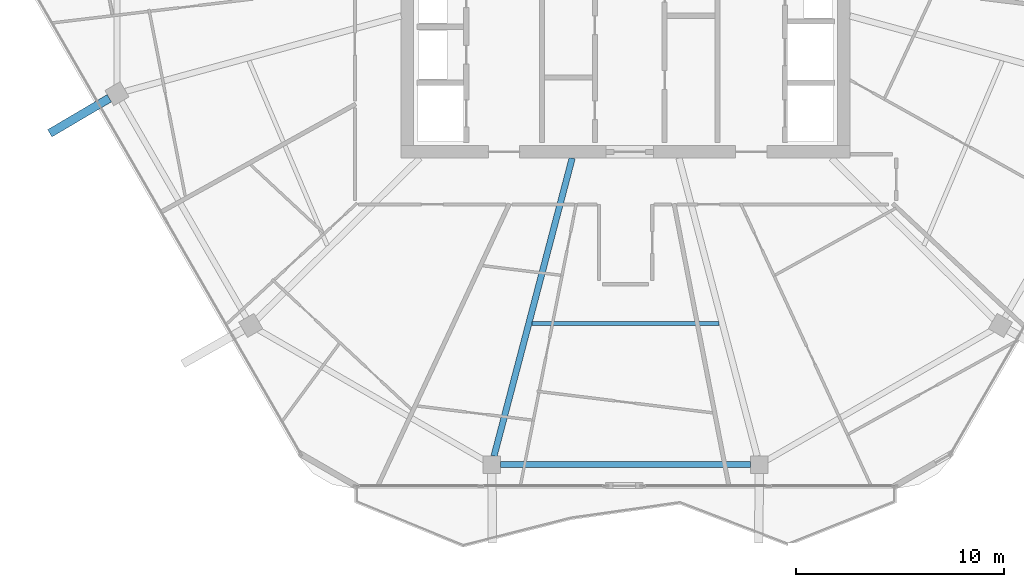
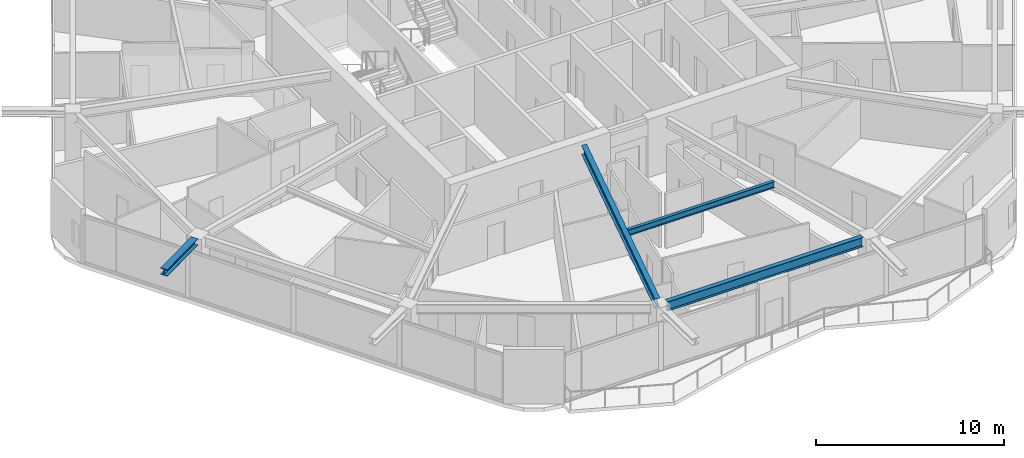
# One storey, part 4 of 27: 4 beams.
"""IFC4 building model written with IfcOpenShell, lengths in metres."""

import ifcopenshell
import ifcopenshell.guid

model = None  # the IFC model being written
_history = None  # IfcOwnerHistory: only IFC2X3 demands one
_inside = {}  # id of a spatial element -> (the spatial element, [elements in it])
_under = {}  # id of a project, library or spatial element -> (it, [spatial elements below it])
_declared = {}  # id of a project -> (the project, [libraries it declares])
_typed = {}  # id of a type object -> (the type object, [elements of that type])
_made_of = {}  # id of a material, layer set ... -> (it, [elements and type objects made of it])


def new_model(schema):
    """Start an empty IFC model of exactly this schema.

    Asked for "IFC4X3", IfcOpenShell would pick the latest addendum, in which some entities
    have other attributes; the version numbers below select the first issue.
    IFC2X3 requires an IfcOwnerHistory on every rooted entity: one is made here for all.
    """
    global model, _history
    if schema == "IFC4X3":
        model = ifcopenshell.file(schema_version=(4, 3, 0, 0))
    else:
        model = ifcopenshell.file(schema=schema)
    _inside.clear()
    _under.clear()
    _declared.clear()
    _typed.clear()
    _made_of.clear()
    _history = None
    if model.schema == "IFC2X3":
        org = make("IfcOrganization", Name="unknown")
        user = make(
            "IfcPersonAndOrganization",
            ThePerson=make("IfcPerson", FamilyName="unknown"),
            TheOrganization=org,
        )
        app = make(
            "IfcApplication",
            ApplicationDeveloper=org,
            Version="unknown",
            ApplicationFullName="unknown",
            ApplicationIdentifier="unknown",
        )
        _history = make(
            "IfcOwnerHistory",
            OwningUser=user,
            OwningApplication=app,
            ChangeAction="ADDED",
            CreationDate=0,
        )
    return model


def make(cls, **values):
    """One entity of the class cls with the attributes given. An attribute that is None is left unset."""
    return model.create_entity(
        cls, **{name: value for name, value in values.items() if value is not None}
    )


def rooted(cls, **values):
    """An entity with a GlobalId (a new one), such as an element, a storey or a relation."""
    return make(cls, GlobalId=ifcopenshell.guid.new(), OwnerHistory=_history, **values)


def si_unit(unit_type, name, prefix=None):
    """IfcSIUnit, for example si_unit("LENGTHUNIT", "METRE", prefix="MILLI")."""
    return make("IfcSIUnit", UnitType=unit_type, Prefix=prefix, Name=name)


def assignment(units):
    """IfcUnitAssignment: the units of a project."""
    return None if units is None else make("IfcUnitAssignment", Units=units)


def point(xyz):
    """IfcCartesianPoint."""
    return None if xyz is None else make("IfcCartesianPoint", Coordinates=xyz)


def direction(xyz):
    """IfcDirection."""
    return None if xyz is None else make("IfcDirection", DirectionRatios=xyz)


def frame(location, z_axis=None, x_axis=None):
    """IfcAxis2Placement3D, a coordinate frame: its origin and axes. An axis left out is left unset."""
    return make(
        "IfcAxis2Placement3D",
        Location=point(location),
        Axis=direction(z_axis),
        RefDirection=direction(x_axis),
    )


def frame_2d(location, x_axis=None):
    """IfcAxis2Placement2D, a coordinate frame in the plane: its origin and x axis."""
    return make(
        "IfcAxis2Placement2D", Location=point(location), RefDirection=direction(x_axis)
    )


def origin():
    """The frame at (0, 0, 0) with its axes left unset."""
    return frame((0.0, 0.0, 0.0))


def origin_2d():
    """The frame at (0, 0) in the plane with its x axis left unset."""
    return frame_2d((0.0, 0.0))


def place(relative_to, where):
    """IfcLocalPlacement: puts the frame where relative to a parent placement (None: the world)."""
    return make(
        "IfcLocalPlacement", PlacementRelTo=relative_to, RelativePlacement=where
    )


def context(
    kind, dimensions, precision=None, world=None, true_north=None, identifier=None
):
    """IfcGeometricRepresentationContext, for example the 3D "Model" context."""
    return make(
        "IfcGeometricRepresentationContext",
        ContextIdentifier=identifier,
        ContextType=kind,
        CoordinateSpaceDimension=dimensions,
        Precision=precision,
        WorldCoordinateSystem=world,
        TrueNorth=true_north,
    )


def subcontext(parent, identifier, kind, view, scale=None):
    """IfcGeometricRepresentationSubContext, for example "Body" below "Model"."""
    return make(
        "IfcGeometricRepresentationSubContext",
        ContextIdentifier=identifier,
        ContextType=kind,
        ParentContext=parent,
        TargetScale=scale,
        TargetView=view,
    )


def project(units=None, contexts=None):
    """IfcProject with its units and contexts."""
    return rooted(
        "IfcProject",
        Name="project",
        RepresentationContexts=contexts,
        UnitsInContext=assignment(units),
    )


def spatial(cls, under=None, at=None, **own):
    """A site, building, storey or space (cls), placed at a placement, below another one or the project."""
    s = rooted(cls, ObjectPlacement=at, **own)
    if under is not None:
        _under.setdefault(under.id(), (under, []))[1].append(s)
    return s


def profile(cls, at=None, kind="AREA", **sizes):
    """A parametric profile (cls). Its sizes go by their IFC names, for example OverallWidth=200.0."""
    return make(cls, ProfileType=kind, Position=at, **sizes)


def i_section(**sizes):
    """IfcIShapeProfileDef."""
    return profile("IfcIShapeProfileDef", **sizes)


def extrude(swept, where, along, depth):
    """IfcExtrudedAreaSolid: the profile swept, set in the frame where, extruded along a direction by depth."""
    return make(
        "IfcExtrudedAreaSolid",
        SweptArea=swept,
        Position=where,
        ExtrudedDirection=direction(along),
        Depth=depth,
    )


def shape(context_of_items, identifier, shape_type, items):
    """IfcShapeRepresentation: the items that make up one representation, for example the "Body"."""
    return make(
        "IfcShapeRepresentation",
        ContextOfItems=context_of_items,
        RepresentationIdentifier=identifier,
        RepresentationType=shape_type,
        Items=items,
    )


def material(Name=None, Category=None):
    """IfcMaterial."""
    return make("IfcMaterial", Name=Name, Category=Category)


def material_profile(
    of_material, cross_section, Name=None, Category=None, Priority=None
):
    """IfcMaterialProfile: a cross section and its material."""
    return make(
        "IfcMaterialProfile",
        Name=Name,
        Material=of_material,
        Profile=cross_section,
        Priority=Priority,
        Category=Category,
    )


def profile_set(profiles, Name=None, composite=None):
    """IfcMaterialProfileSet."""
    return make(
        "IfcMaterialProfileSet",
        Name=Name,
        MaterialProfiles=profiles,
        CompositeProfile=composite,
    )


def made_of(thing, what):
    """Note that an element or type object is made of a material, layer set ...; save() writes the relation."""
    if what is not None:
        _made_of.setdefault(what.id(), (what, []))[1].append(thing)
    return thing


def type_object(cls, material=None, **own):
    """A type object (cls), such as IfcWallType, which elements share."""
    return made_of(rooted(cls, **own), material)


def element(
    cls,
    number,
    at=None,
    inside=None,
    cuts=None,
    type_object=None,
    material=None,
    context=None,
    identifier="Body",
    shape_type=None,
    held_by="IfcProductDefinitionShape",
    body=None,
    shapes=None,
    **own,
):
    """One element of the class cls, such as IfcWall. Its Tag is "e" and its number.

    at: its placement. inside: the storey or other place that contains it. cuts: it is an
    opening in that element (IfcRelVoidsElement). A single representation is given by context,
    identifier, shape_type and body (its items); several are given by shapes. held_by: the class
    of the entity that holds the representations. save() writes the other relations.
    """
    e = rooted(cls, Tag="e%d" % number, ObjectPlacement=at, **own)
    if body is not None:
        shapes = [shape(context, identifier, shape_type, body)]
    if shapes is not None:
        e.Representation = make(held_by, Representations=shapes)
    if inside is not None:
        _inside.setdefault(inside.id(), (inside, []))[1].append(e)
    if cuts is not None:
        rooted(
            "IfcRelVoidsElement", RelatingBuildingElement=cuts, RelatedOpeningElement=e
        )
    if type_object is not None:
        _typed.setdefault(type_object.id(), (type_object, []))[1].append(e)
    return made_of(e, material)


def aggregate(whole, parts):
    """IfcRelAggregates: a whole, such as a stair, and the parts it consists of."""
    return rooted("IfcRelAggregates", RelatingObject=whole, RelatedObjects=parts)


def save(model, path):
    """Write the relations noted so far, then the file.

    IfcRelAggregates (storeys below a building ...), IfcRelContainedInSpatialStructure (elements
    in a storey), IfcRelDefinesByType, IfcRelAssociatesMaterial and IfcRelDeclares: one each for
    every whole, place, type object, material and project.
    """
    for whole, parts in _under.values():
        aggregate(whole, parts)
    for where, things in _inside.values():
        rooted(
            "IfcRelContainedInSpatialStructure",
            RelatedElements=things,
            RelatingStructure=where,
        )
    for kind, things in _typed.values():
        rooted("IfcRelDefinesByType", RelatedObjects=things, RelatingType=kind)
    for what, things in _made_of.values():
        rooted("IfcRelAssociatesMaterial", RelatedObjects=things, RelatingMaterial=what)
    for by, libraries in _declared.values():
        rooted("IfcRelDeclares", RelatingContext=by, RelatedDefinitions=libraries)
    model.write(path)


model = new_model("IFC4")

# Units and contexts
model_context = context("Model", 3, precision=1e-05, world=origin(), true_north=direction((0.0, 1.0)))
body_context = subcontext(model_context, "Body", "Model", "MODEL_VIEW")
ifc_project = project(units=[si_unit("LENGTHUNIT", "METRE"), si_unit("AREAUNIT", "SQUARE_METRE"), si_unit("VOLUMEUNIT", "CUBIC_METRE"), si_unit("PLANEANGLEUNIT", "RADIAN"), si_unit("MASSUNIT", "GRAM", prefix="KILO")], contexts=[model_context])

# Site, building, storey
site_placement = place(None, origin())
site = spatial("IfcSite", under=ifc_project, at=site_placement, CompositionType="ELEMENT")
building_placement = place(site_placement, origin())
building = spatial("IfcBuilding", under=site, at=building_placement, Name="Zuhravey Tower", CompositionType="ELEMENT")
storey_placement = place(building_placement, frame((0.0, 0.0, 265.39990234375)))
storey = spatial("IfcBuildingStorey", under=building, at=storey_placement, Name="L67", CompositionType="ELEMENT", Elevation=265.39990234375)

# Beams
ifc_material_1 = material(Name="Steel SM460", Category="steel")
ifc_material_profile_1 = material_profile(ifc_material_1, i_section(OverallWidth=0.406982421875, OverallDepth=0.427978515625, WebThickness=0.02001953125, FlangeThickness=0.034912109375, at=origin_2d()), Name="H-428x407x20x35")
ifc_profile_set_1 = profile_set([ifc_material_profile_1], Name="Steel SM460")
beam_type_1 = type_object("IfcBeamType", Name="Exoskeleton Node Tie Beam H428x407", PredefinedType="BEAM", material=ifc_profile_set_1)
beam_1_placement = place(storey_placement, frame((11.145751953125, 25.083251953125, 3.336181640625), z_axis=(-0.861603813427, -0.507581391195, 0.0), x_axis=(0.507581391195, -0.861603813427, 0.0)))
element("IfcBeam", 1, at=beam_1_placement, inside=storey, type_object=beam_type_1, Name="L67 Exoskeleton Node Tie NT1-07", PredefinedType="BEAM", context=body_context, shape_type="SweptSolid", body=[
    extrude(i_section(OverallWidth=0.406982421875, OverallDepth=0.427978515625, WebThickness=0.02001953125, FlangeThickness=0.034912109375, at=origin_2d()), origin(), (0.0, 0.0, 1.0), 3.325927734375),
])
ifc_material_2 = material(Name="Steel SM355", Category="steel")
ifc_material_profile_2 = material_profile(ifc_material_2, i_section(OverallWidth=0.280029296875, OverallDepth=0.6201171875, WebThickness=0.011962890625, FlangeThickness=0.02001953125, at=origin_2d()), Name="H-620x280x12x20")
ifc_profile_set_2 = profile_set([ifc_material_profile_2], Name="Steel SM355")
beam_type_2 = type_object("IfcBeamType", Name="Perimeter Ring Beam H620x280", PredefinedType="BEAM", material=ifc_profile_set_2)
beam_2_placement = place(storey_placement, frame((29.987060546875, 7.4462890625, 3.239990234375), z_axis=(1.0, 0.0, 0.0), x_axis=(0.0, 1.0, 0.0)))
element("IfcBeam", 2, at=beam_2_placement, inside=storey, type_object=beam_type_2, Name="L67 PB3 BM-L67-PB-09", PredefinedType="BEAM", context=body_context, shape_type="SweptSolid", body=[
    extrude(i_section(OverallWidth=0.280029296875, OverallDepth=0.6201171875, WebThickness=0.011962890625, FlangeThickness=0.02001953125, at=origin_2d()), origin(), (0.0, 0.0, 1.0), 12.02587890625),
])
ifc_material_profile_3 = material_profile(ifc_material_2, i_section(OverallWidth=0.300048828125, OverallDepth=0.60009765625, WebThickness=0.011962890625, FlangeThickness=0.02001953125, at=origin_2d()), Name="H-600x300x12x20")
ifc_profile_set_3 = profile_set([ifc_material_profile_3], Name="Steel SM355")
beam_type_3 = type_object("IfcBeamType", Name="Radial Primary Girder H600x300", PredefinedType="BEAM", material=ifc_profile_set_3)
beam_3_placement = place(storey_placement, frame((33.428466796875, 22.197021484375, 3.25), z_axis=(-0.25373188956, -0.967274587809, 0.0), x_axis=(0.967274587809, -0.25373188956, 0.0)))
element("IfcBeam", 3, at=beam_3_placement, inside=storey, type_object=beam_type_3, Name="L67 RG3 BM-L67-RAD-09", PredefinedType="BEAM", context=body_context, shape_type="SweptSolid", body=[
    extrude(i_section(OverallWidth=0.300048828125, OverallDepth=0.60009765625, WebThickness=0.011962890625, FlangeThickness=0.02001953125, at=origin_2d()), origin(), (0.0, 0.0, 1.0), 14.82177734375),
])
ifc_material_profile_4 = material_profile(ifc_material_2, i_section(OverallWidth=0.199951171875, OverallDepth=0.39990234375, WebThickness=0.008056640625, FlangeThickness=0.012939453125, at=origin_2d()), Name="H-400x200x8x13")
ifc_profile_set_4 = profile_set([ifc_material_profile_4], Name="Steel SM355")
beam_type_4 = type_object("IfcBeamType", Name="Secondary Floor Joist H400x200", PredefinedType="JOIST", material=ifc_profile_set_4)
beam_4_placement = place(storey_placement, frame((31.492919921875, 14.231689453125, 3.35009765625), z_axis=(1.0, 0.0, 0.0), x_axis=(0.0, 1.0, 0.0)))
element("IfcBeam", 4, at=beam_4_placement, inside=storey, type_object=beam_type_4, Name="L67 SJ2 BM-L67-SJ-09-1", PredefinedType="JOIST", context=body_context, shape_type="SweptSolid", body=[
    extrude(i_section(OverallWidth=0.199951171875, OverallDepth=0.39990234375, WebThickness=0.008056640625, FlangeThickness=0.012939453125, at=origin_2d()), origin(), (0.0, 0.0, 1.0), 9.01416015625),
])

save(model, "model.ifc")
